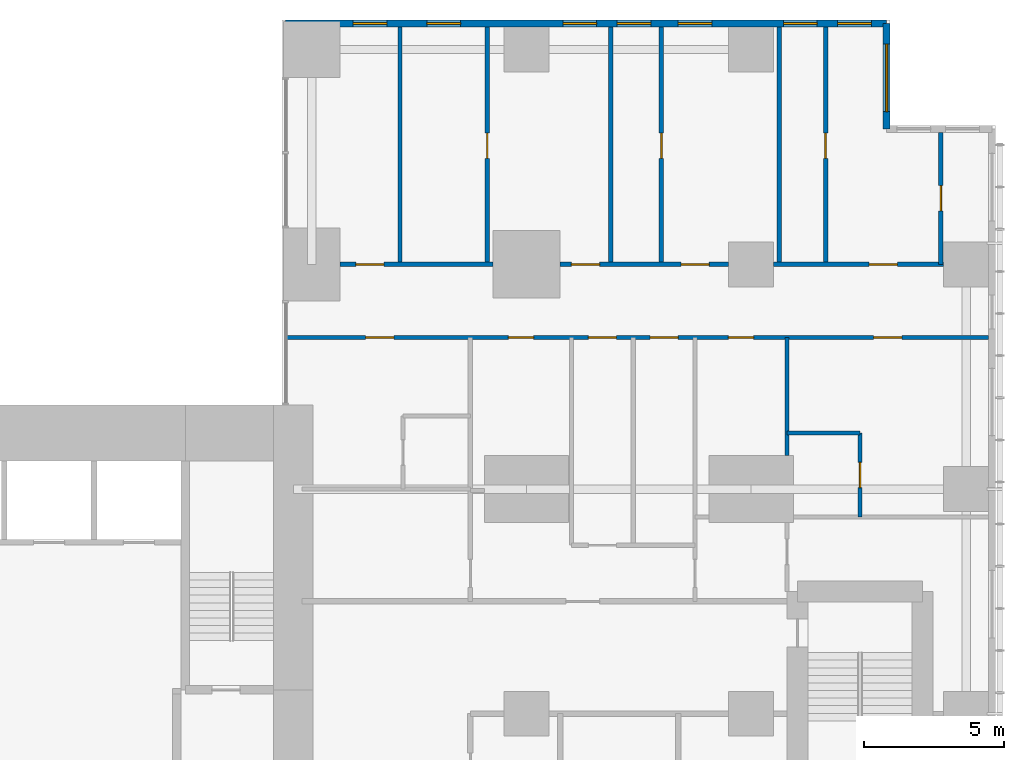
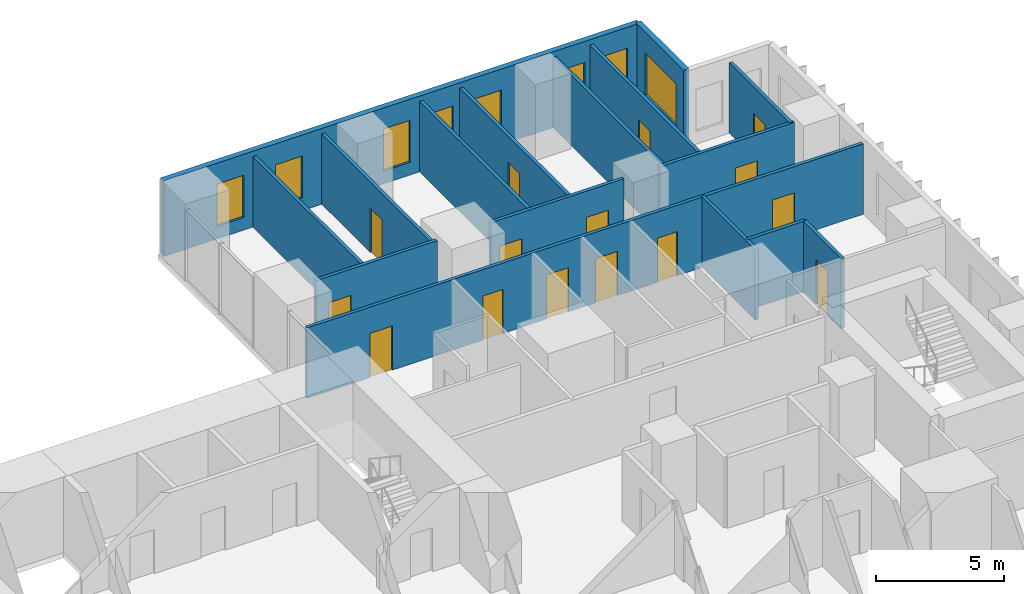
# One storey, part 10 of 12: 16 walls, 15 doors, 8 windows, 23 openings.
"""IFC4 building model written with IfcOpenShell, lengths in metres."""

from ifc_helpers import new_model, si_unit, direction, frame, frame_2d, origin, place, context, subcontext, project, spatial, rectangle, extrude, material, layer, layer_set, type_object, element, fill, save


model = new_model("IFC4")

# Units and contexts
model_context = context("Model", 3, precision=1e-05, world=origin(), true_north=direction((0.0, 1.0)))
body_context = subcontext(model_context, "Body", "Model", "MODEL_VIEW")
ifc_project = project(units=[si_unit("LENGTHUNIT", "METRE"), si_unit("AREAUNIT", "SQUARE_METRE"), si_unit("VOLUMEUNIT", "CUBIC_METRE"), si_unit("PLANEANGLEUNIT", "RADIAN"), si_unit("MASSUNIT", "GRAM", prefix="KILO")], contexts=[model_context])

# Site, building, storey
site_placement = place(None, origin())
site = spatial("IfcSite", under=ifc_project, at=site_placement, CompositionType="ELEMENT")
building_placement = place(site_placement, origin())
building = spatial("IfcBuilding", under=site, at=building_placement, Name="Cleftline Residences", CompositionType="ELEMENT")
storey_placement = place(building_placement, frame((0.0, 0.0, 234.0)))
storey = spatial("IfcBuildingStorey", under=building, at=storey_placement, Name="L61", CompositionType="ELEMENT", Elevation=234.0)

# Wall, opening, window
ifc_material_1 = material(Name="Rendered reinforced concrete blockwork", Category="masonry")
ifc_layer_1 = layer(ifc_material_1, 0.25)
ifc_layer_set_1 = layer_set([ifc_layer_1], Name="EXTERNAL WALL 250")
wall_type_1 = type_object("IfcWallType", Name="EXTERNAL WALL 250", PredefinedType="SOLIDWALL", material=ifc_layer_set_1)
wall_1_placement = place(storey_placement, frame((62.824951171875, 44.824951171875, 0.0), z_axis=(0.0, 0.0, 1.0), x_axis=(0.0, 1.0, 0.0)))
wall_1 = element("IfcWall", 1, at=wall_1_placement, inside=storey, type_object=wall_type_1, Name="External wall", PredefinedType="SOLIDWALL", context=body_context, shape_type="SweptSolid", body=[
    extrude(rectangle(XDim=3.75, YDim=0.25, at=frame_2d((1.875, 0.0))), origin(), (0.0, 0.0, 1.0), 3.60009765625),
])
opening_1_placement = place(wall_1_placement, frame((0.612548828125, 0.0, 0.60009765625)))
opening_1 = element("IfcOpeningElement", 2, at=opening_1_placement, cuts=wall_1, Name="Opening W6", PredefinedType="OPENING", context=body_context, shape_type="SweptSolid", body=[
    extrude(rectangle(XDim=2.39990234375, YDim=2.0, at=frame_2d((1.199951171875, 1.0))), frame((0.0, 0.135009765625, 0.0), z_axis=(0.0, -1.0, 0.0), x_axis=(1.0, 0.0, 0.0)), (0.0, 0.0, 1.0), 0.27001953125),
])
ifc_material_2 = material(Name="Aluminium frame, clear double glazing", Category="aluminium")
window_type_1 = type_object("IfcWindowType", Name="WINDOW 2400X2000", PartitioningType="DOUBLE_PANEL_VERTICAL", PredefinedType="WINDOW", material=ifc_material_2)
window_1_placement = place(opening_1_placement, origin())
window_1 = element("IfcWindow", 3, at=window_1_placement, inside=storey, type_object=window_type_1, Name="Window", OverallHeight=2.0, OverallWidth=2.39990234375, PartitioningType="SINGLE_PANEL", PredefinedType="WINDOW", context=body_context, shape_type="SweptSolid", body=[
    extrude(rectangle(XDim=2.39990234375, YDim=2.0, at=frame_2d((1.199951171875, 1.0))), frame((0.0, 0.030029296875, 0.0), z_axis=(0.0, -1.0, 0.0), x_axis=(1.0, 0.0, 0.0)), (0.0, 0.0, 1.0), 0.06005859375),
])
fill(opening_1, window_1)

# Wall, openings, windows
wall_2_placement = place(storey_placement, frame((62.824951171875, 48.574951171875, 0.0), z_axis=(0.0, 0.0, 1.0), x_axis=(-1.0, 0.0, 0.0)))
wall_2 = element("IfcWall", 4, at=wall_2_placement, inside=storey, type_object=wall_type_1, Name="External wall", PredefinedType="SOLIDWALL", context=body_context, shape_type="SweptSolid", body=[
    extrude(rectangle(XDim=21.39990234375, YDim=0.25, at=frame_2d((10.699951171875, 0.0))), origin(), (0.0, 0.0, 1.0), 3.60009765625),
])
opening_2_placement = place(wall_2_placement, frame((0.550048828125, 0.0, 0.60009765625)))
opening_2 = element("IfcOpeningElement", 5, at=opening_2_placement, cuts=wall_2, Name="Opening W8", PredefinedType="OPENING", context=body_context, shape_type="SweptSolid", body=[
    extrude(rectangle(XDim=1.199951171875, YDim=2.0, at=frame_2d((0.60009765625, 1.0))), frame((0.0, 0.135009765625, 0.0), z_axis=(0.0, -1.0, 0.0), x_axis=(1.0, 0.0, 0.0)), (0.0, 0.0, 1.0), 0.27001953125),
])
opening_3_placement = place(wall_2_placement, frame((2.47509765625, 0.0, 0.60009765625)))
opening_3 = element("IfcOpeningElement", 6, at=opening_3_placement, cuts=wall_2, Name="Opening W8", PredefinedType="OPENING", context=body_context, shape_type="SweptSolid", body=[
    extrude(rectangle(XDim=1.199951171875, YDim=2.0, at=frame_2d((0.60009765625, 1.0))), frame((0.0, 0.135009765625, 0.0), z_axis=(0.0, -1.0, 0.0), x_axis=(1.0, 0.0, 0.0)), (0.0, 0.0, 1.0), 0.27001953125),
])
opening_4_placement = place(wall_2_placement, frame((6.22509765625, 0.0, 0.60009765625)))
opening_4 = element("IfcOpeningElement", 7, at=opening_4_placement, cuts=wall_2, Name="Opening W8", PredefinedType="OPENING", context=body_context, shape_type="SweptSolid", body=[
    extrude(rectangle(XDim=1.199951171875, YDim=2.0, at=frame_2d((0.60009765625, 1.0))), frame((0.0, 0.135009765625, 0.0), z_axis=(0.0, -1.0, 0.0), x_axis=(1.0, 0.0, 0.0)), (0.0, 0.0, 1.0), 0.27001953125),
])
opening_5_placement = place(wall_2_placement, frame((8.39990234375, 0.0, 0.60009765625)))
opening_5 = element("IfcOpeningElement", 8, at=opening_5_placement, cuts=wall_2, Name="Opening W8", PredefinedType="OPENING", context=body_context, shape_type="SweptSolid", body=[
    extrude(rectangle(XDim=1.199951171875, YDim=2.0, at=frame_2d((0.60009765625, 1.0))), frame((0.0, 0.135009765625, 0.0), z_axis=(0.0, -1.0, 0.0), x_axis=(1.0, 0.0, 0.0)), (0.0, 0.0, 1.0), 0.27001953125),
])
opening_6_placement = place(wall_2_placement, frame((10.324951171875, 0.0, 0.60009765625)))
opening_6 = element("IfcOpeningElement", 9, at=opening_6_placement, cuts=wall_2, Name="Opening W8", PredefinedType="OPENING", context=body_context, shape_type="SweptSolid", body=[
    extrude(rectangle(XDim=1.199951171875, YDim=2.0, at=frame_2d((0.60009765625, 1.0))), frame((0.0, 0.135009765625, 0.0), z_axis=(0.0, -1.0, 0.0), x_axis=(1.0, 0.0, 0.0)), (0.0, 0.0, 1.0), 0.27001953125),
])
opening_7_placement = place(wall_2_placement, frame((15.175048828125, 0.0, 0.60009765625)))
opening_7 = element("IfcOpeningElement", 10, at=opening_7_placement, cuts=wall_2, Name="Opening W8", PredefinedType="OPENING", context=body_context, shape_type="SweptSolid", body=[
    extrude(rectangle(XDim=1.199951171875, YDim=2.0, at=frame_2d((0.60009765625, 1.0))), frame((0.0, 0.135009765625, 0.0), z_axis=(0.0, -1.0, 0.0), x_axis=(1.0, 0.0, 0.0)), (0.0, 0.0, 1.0), 0.27001953125),
])
opening_8_placement = place(wall_2_placement, frame((17.800048828125, 0.0, 0.60009765625)))
opening_8 = element("IfcOpeningElement", 11, at=opening_8_placement, cuts=wall_2, Name="Opening W8", PredefinedType="OPENING", context=body_context, shape_type="SweptSolid", body=[
    extrude(rectangle(XDim=1.199951171875, YDim=2.0, at=frame_2d((0.60009765625, 1.0))), frame((0.0, 0.135009765625, 0.0), z_axis=(0.0, -1.0, 0.0), x_axis=(1.0, 0.0, 0.0)), (0.0, 0.0, 1.0), 0.27001953125),
])
ifc_material_3 = material(Name="Aluminium frame, clear double glazing", Category="aluminium")
window_type_2 = type_object("IfcWindowType", Name="WINDOW 1200X2000", PartitioningType="DOUBLE_PANEL_VERTICAL", PredefinedType="WINDOW", material=ifc_material_3)
window_2_placement = place(opening_2_placement, origin())
window_2 = element("IfcWindow", 12, at=window_2_placement, inside=storey, type_object=window_type_2, Name="Window", OverallHeight=2.0, OverallWidth=1.199951171875, PartitioningType="SINGLE_PANEL", PredefinedType="WINDOW", context=body_context, shape_type="SweptSolid", body=[
    extrude(rectangle(XDim=1.199951171875, YDim=2.0, at=frame_2d((0.60009765625, 1.0))), frame((0.0, 0.030029296875, 0.0), z_axis=(0.0, -1.0, 0.0), x_axis=(1.0, 0.0, 0.0)), (0.0, 0.0, 1.0), 0.06005859375),
])
fill(opening_2, window_2)
window_3_placement = place(opening_3_placement, origin())
window_3 = element("IfcWindow", 13, at=window_3_placement, inside=storey, type_object=window_type_2, Name="Window", OverallHeight=2.0, OverallWidth=1.199951171875, PartitioningType="SINGLE_PANEL", PredefinedType="WINDOW", context=body_context, shape_type="SweptSolid", body=[
    extrude(rectangle(XDim=1.199951171875, YDim=2.0, at=frame_2d((0.60009765625, 1.0))), frame((0.0, 0.030029296875, 0.0), z_axis=(0.0, -1.0, 0.0), x_axis=(1.0, 0.0, 0.0)), (0.0, 0.0, 1.0), 0.06005859375),
])
fill(opening_3, window_3)
window_4_placement = place(opening_4_placement, origin())
window_4 = element("IfcWindow", 14, at=window_4_placement, inside=storey, type_object=window_type_2, Name="Window", OverallHeight=2.0, OverallWidth=1.199951171875, PartitioningType="SINGLE_PANEL", PredefinedType="WINDOW", context=body_context, shape_type="SweptSolid", body=[
    extrude(rectangle(XDim=1.199951171875, YDim=2.0, at=frame_2d((0.60009765625, 1.0))), frame((0.0, 0.030029296875, 0.0), z_axis=(0.0, -1.0, 0.0), x_axis=(1.0, 0.0, 0.0)), (0.0, 0.0, 1.0), 0.06005859375),
])
fill(opening_4, window_4)
window_5_placement = place(opening_5_placement, origin())
window_5 = element("IfcWindow", 15, at=window_5_placement, inside=storey, type_object=window_type_2, Name="Window", OverallHeight=2.0, OverallWidth=1.199951171875, PartitioningType="SINGLE_PANEL", PredefinedType="WINDOW", context=body_context, shape_type="SweptSolid", body=[
    extrude(rectangle(XDim=1.199951171875, YDim=2.0, at=frame_2d((0.60009765625, 1.0))), frame((0.0, 0.030029296875, 0.0), z_axis=(0.0, -1.0, 0.0), x_axis=(1.0, 0.0, 0.0)), (0.0, 0.0, 1.0), 0.06005859375),
])
fill(opening_5, window_5)
window_6_placement = place(opening_6_placement, origin())
window_6 = element("IfcWindow", 16, at=window_6_placement, inside=storey, type_object=window_type_2, Name="Window", OverallHeight=2.0, OverallWidth=1.199951171875, PartitioningType="SINGLE_PANEL", PredefinedType="WINDOW", context=body_context, shape_type="SweptSolid", body=[
    extrude(rectangle(XDim=1.199951171875, YDim=2.0, at=frame_2d((0.60009765625, 1.0))), frame((0.0, 0.030029296875, 0.0), z_axis=(0.0, -1.0, 0.0), x_axis=(1.0, 0.0, 0.0)), (0.0, 0.0, 1.0), 0.06005859375),
])
fill(opening_6, window_6)
window_7_placement = place(opening_7_placement, origin())
window_7 = element("IfcWindow", 17, at=window_7_placement, inside=storey, type_object=window_type_2, Name="Window", OverallHeight=2.0, OverallWidth=1.199951171875, PartitioningType="SINGLE_PANEL", PredefinedType="WINDOW", context=body_context, shape_type="SweptSolid", body=[
    extrude(rectangle(XDim=1.199951171875, YDim=2.0, at=frame_2d((0.60009765625, 1.0))), frame((0.0, 0.030029296875, 0.0), z_axis=(0.0, -1.0, 0.0), x_axis=(1.0, 0.0, 0.0)), (0.0, 0.0, 1.0), 0.06005859375),
])
fill(opening_7, window_7)
window_8_placement = place(opening_8_placement, origin())
window_8 = element("IfcWindow", 18, at=window_8_placement, inside=storey, type_object=window_type_2, Name="Window", OverallHeight=2.0, OverallWidth=1.199951171875, PartitioningType="SINGLE_PANEL", PredefinedType="WINDOW", context=body_context, shape_type="SweptSolid", body=[
    extrude(rectangle(XDim=1.199951171875, YDim=2.0, at=frame_2d((0.60009765625, 1.0))), frame((0.0, 0.030029296875, 0.0), z_axis=(0.0, -1.0, 0.0), x_axis=(1.0, 0.0, 0.0)), (0.0, 0.0, 1.0), 0.06005859375),
])
fill(opening_8, window_8)

# Wall
ifc_material_4 = material(Name="Gypsum board on steel studs", Category="steel")
ifc_layer_2 = layer(ifc_material_4, 0.14990234375)
ifc_layer_set_2 = layer_set([ifc_layer_2], Name="PARTITION 150")
wall_type_2 = type_object("IfcWallType", Name="PARTITION 150", PredefinedType="PARTITIONING", material=ifc_layer_set_2)
wall_3_placement = place(storey_placement, frame((59.27490234375, 34.0, 0.0), z_axis=(0.0, 0.0, 1.0), x_axis=(1.0, 0.0, 0.0)))
element("IfcWall", 19, at=wall_3_placement, inside=storey, type_object=wall_type_2, Name="Partition", PredefinedType="PARTITIONING", context=body_context, shape_type="SweptSolid", body=[
    extrude(rectangle(XDim=2.60009765625, YDim=0.14990234375, at=frame_2d((1.300048828125, 0.0))), origin(), (0.0, 0.0, 1.0), 3.35009765625),
])

# Wall, openings, doors
wall_4_placement = place(storey_placement, frame((41.43896484375, 37.39990234375, 0.0), z_axis=(0.0, 0.0, 1.0), x_axis=(1.0, 0.0, 0.0)))
wall_4 = element("IfcWall", 20, at=wall_4_placement, inside=storey, type_object=wall_type_2, Name="Partition", PredefinedType="PARTITIONING", context=body_context, shape_type="SweptSolid", body=[
    extrude(rectangle(XDim=25.010986328125, YDim=0.14990234375, at=frame_2d((12.50537109375, 0.0))), origin(), (0.0, 0.0, 1.0), 3.35009765625),
])
opening_9_placement = place(wall_4_placement, frame((10.760986328125, 0.0, 0.0)))
opening_9 = element("IfcOpeningElement", 21, at=opening_9_placement, cuts=wall_4, Name="Opening D2", PredefinedType="OPENING", context=body_context, shape_type="SweptSolid", body=[
    extrude(rectangle(XDim=1.0, YDim=2.10009765625, at=frame_2d((0.5, 1.050048828125))), frame((0.0, 0.0849609375, 0.0), z_axis=(0.0, -1.0, 0.0), x_axis=(1.0, 0.0, 0.0)), (0.0, 0.0, 1.0), 0.169921875),
])
opening_10_placement = place(wall_4_placement, frame((20.923583984375, 0.0, 0.0)))
opening_10 = element("IfcOpeningElement", 22, at=opening_10_placement, cuts=wall_4, Name="Opening D2", PredefinedType="OPENING", context=body_context, shape_type="SweptSolid", body=[
    extrude(rectangle(XDim=1.0, YDim=2.10009765625, at=frame_2d((0.5, 1.050048828125))), frame((0.0, 0.0849609375, 0.0), z_axis=(0.0, -1.0, 0.0), x_axis=(1.0, 0.0, 0.0)), (0.0, 0.0, 1.0), 0.169921875),
])
opening_11_placement = place(wall_4_placement, frame((15.74853515625, 0.0, 0.0)))
opening_11 = element("IfcOpeningElement", 23, at=opening_11_placement, cuts=wall_4, Name="Opening D1", PredefinedType="OPENING", context=body_context, shape_type="SweptSolid", body=[
    extrude(rectangle(XDim=0.89990234375, YDim=2.10009765625, at=frame_2d((0.449951171875, 1.050048828125))), frame((0.0, 0.0849609375, 0.0), z_axis=(0.0, -1.0, 0.0), x_axis=(1.0, 0.0, 0.0)), (0.0, 0.0, 1.0), 0.169921875),
])
opening_12_placement = place(wall_4_placement, frame((12.9609375, 0.0, 0.0)))
opening_12 = element("IfcOpeningElement", 24, at=opening_12_placement, cuts=wall_4, Name="Opening D2", PredefinedType="OPENING", context=body_context, shape_type="SweptSolid", body=[
    extrude(rectangle(XDim=1.0, YDim=2.10009765625, at=frame_2d((0.5, 1.050048828125))), frame((0.0, 0.0849609375, 0.0), z_axis=(0.0, -1.0, 0.0), x_axis=(1.0, 0.0, 0.0)), (0.0, 0.0, 1.0), 0.169921875),
])
opening_13_placement = place(wall_4_placement, frame((7.910888671875, 0.0, 0.0)))
opening_13 = element("IfcOpeningElement", 25, at=opening_13_placement, cuts=wall_4, Name="Opening D1", PredefinedType="OPENING", context=body_context, shape_type="SweptSolid", body=[
    extrude(rectangle(XDim=0.89990234375, YDim=2.10009765625, at=frame_2d((0.449951171875, 1.050048828125))), frame((0.0, 0.0849609375, 0.0), z_axis=(0.0, -1.0, 0.0), x_axis=(1.0, 0.0, 0.0)), (0.0, 0.0, 1.0), 0.169921875),
])
opening_14_placement = place(wall_4_placement, frame((2.8359375, 0.0, 0.0)))
opening_14 = element("IfcOpeningElement", 26, at=opening_14_placement, cuts=wall_4, Name="Opening D2", PredefinedType="OPENING", context=body_context, shape_type="SweptSolid", body=[
    extrude(rectangle(XDim=1.0, YDim=2.10009765625, at=frame_2d((0.5, 1.050048828125))), frame((0.0, 0.0849609375, 0.0), z_axis=(0.0, -1.0, 0.0), x_axis=(1.0, 0.0, 0.0)), (0.0, 0.0, 1.0), 0.169921875),
])
ifc_material_5 = material(Name="Timber veneer on solid core", Category="wood")
door_type_1 = type_object("IfcDoorType", Name="DOOR 1000X2100", OperationType="SINGLE_SWING_LEFT", PredefinedType="DOOR", material=ifc_material_5)
door_1_placement = place(opening_9_placement, origin())
door_1 = element("IfcDoor", 27, at=door_1_placement, inside=storey, type_object=door_type_1, Name="Door to residence hall", OperationType="SINGLE_SWING_RIGHT", OverallHeight=2.10009765625, OverallWidth=1.0, PredefinedType="DOOR", context=body_context, shape_type="SweptSolid", body=[
    extrude(rectangle(XDim=1.0, YDim=2.10009765625, at=frame_2d((0.5, 1.050048828125))), frame((0.0, 0.02490234375, 0.0), z_axis=(0.0, -1.0, 0.0), x_axis=(1.0, 0.0, 0.0)), (0.0, 0.0, 1.0), 0.050048828125),
])
fill(opening_9, door_1)
door_2_placement = place(opening_10_placement, origin())
door_2 = element("IfcDoor", 28, at=door_2_placement, inside=storey, type_object=door_type_1, Name="Door to master bedroom", OperationType="SINGLE_SWING_LEFT", OverallHeight=2.10009765625, OverallWidth=1.0, PredefinedType="DOOR", context=body_context, shape_type="SweptSolid", body=[
    extrude(rectangle(XDim=1.0, YDim=2.10009765625, at=frame_2d((0.5, 1.050048828125))), frame((0.0, 0.02490234375, 0.0), z_axis=(0.0, -1.0, 0.0), x_axis=(1.0, 0.0, 0.0)), (0.0, 0.0, 1.0), 0.050048828125),
])
fill(opening_10, door_2)
door_3_placement = place(opening_12_placement, origin())
door_3 = element("IfcDoor", 29, at=door_3_placement, inside=storey, type_object=door_type_1, Name="Door to media room", OperationType="SINGLE_SWING_LEFT", OverallHeight=2.10009765625, OverallWidth=1.0, PredefinedType="DOOR", context=body_context, shape_type="SweptSolid", body=[
    extrude(rectangle(XDim=1.0, YDim=2.10009765625, at=frame_2d((0.5, 1.050048828125))), frame((0.0, 0.02490234375, 0.0), z_axis=(0.0, -1.0, 0.0), x_axis=(1.0, 0.0, 0.0)), (0.0, 0.0, 1.0), 0.050048828125),
])
fill(opening_12, door_3)
door_4_placement = place(opening_14_placement, origin())
door_4 = element("IfcDoor", 30, at=door_4_placement, inside=storey, type_object=door_type_1, Name="Door to bedroom 5", OperationType="SINGLE_SWING_RIGHT", OverallHeight=2.10009765625, OverallWidth=1.0, PredefinedType="DOOR", context=body_context, shape_type="SweptSolid", body=[
    extrude(rectangle(XDim=1.0, YDim=2.10009765625, at=frame_2d((0.5, 1.050048828125))), frame((0.0, 0.02490234375, 0.0), z_axis=(0.0, -1.0, 0.0), x_axis=(1.0, 0.0, 0.0)), (0.0, 0.0, 1.0), 0.050048828125),
])
fill(opening_14, door_4)
ifc_material_6 = material(Name="Timber veneer on solid core", Category="wood")
door_type_2 = type_object("IfcDoorType", Name="DOOR 900X2100", OperationType="SINGLE_SWING_LEFT", PredefinedType="DOOR", material=ifc_material_6)
door_5_placement = place(opening_11_placement, origin())
door_5 = element("IfcDoor", 31, at=door_5_placement, inside=storey, type_object=door_type_2, Name="Door to bedroom 2 bathroom", OperationType="SINGLE_SWING_LEFT", OverallHeight=2.10009765625, OverallWidth=0.89990234375, PredefinedType="DOOR", context=body_context, shape_type="SweptSolid", body=[
    extrude(rectangle(XDim=0.89990234375, YDim=2.10009765625, at=frame_2d((0.449951171875, 1.050048828125))), frame((0.0, 0.02490234375, 0.0), z_axis=(0.0, -1.0, 0.0), x_axis=(1.0, 0.0, 0.0)), (0.0, 0.0, 1.0), 0.050048828125),
])
fill(opening_11, door_5)
door_6_placement = place(opening_13_placement, origin())
door_6 = element("IfcDoor", 32, at=door_6_placement, inside=storey, type_object=door_type_2, Name="Door to linen store", OperationType="SINGLE_SWING_RIGHT", OverallHeight=2.10009765625, OverallWidth=0.89990234375, PredefinedType="DOOR", context=body_context, shape_type="SweptSolid", body=[
    extrude(rectangle(XDim=0.89990234375, YDim=2.10009765625, at=frame_2d((0.449951171875, 1.050048828125))), frame((0.0, 0.02490234375, 0.0), z_axis=(0.0, -1.0, 0.0), x_axis=(1.0, 0.0, 0.0)), (0.0, 0.0, 1.0), 0.050048828125),
])
fill(opening_13, door_6)

# Wall, opening, door
wall_5_placement = place(storey_placement, frame((43.35009765625, 40.0, 0.0), z_axis=(0.0, 0.0, 1.0), x_axis=(1.0, 0.0, 0.0)))
wall_5 = element("IfcWall", 33, at=wall_5_placement, inside=storey, type_object=wall_type_2, Name="Partition", PredefinedType="PARTITIONING", context=body_context, shape_type="SweptSolid", body=[
    extrude(rectangle(XDim=5.449951171875, YDim=0.14990234375, at=frame_2d((2.72509765625, 0.0))), origin(), (0.0, 0.0, 1.0), 3.35009765625),
])
opening_15_placement = place(wall_5_placement, frame((0.574951171875, 0.0, 0.0)))
opening_15 = element("IfcOpeningElement", 34, at=opening_15_placement, cuts=wall_5, Name="Opening D2", PredefinedType="OPENING", context=body_context, shape_type="SweptSolid", body=[
    extrude(rectangle(XDim=1.0, YDim=2.10009765625, at=frame_2d((0.5, 1.050048828125))), frame((0.0, 0.0849609375, 0.0), z_axis=(0.0, -1.0, 0.0), x_axis=(1.0, 0.0, 0.0)), (0.0, 0.0, 1.0), 0.169921875),
])
door_7_placement = place(opening_15_placement, origin())
door_7 = element("IfcDoor", 35, at=door_7_placement, inside=storey, type_object=door_type_1, Name="Door to family room", OperationType="SINGLE_SWING_RIGHT", OverallHeight=2.10009765625, OverallWidth=1.0, PredefinedType="DOOR", context=body_context, shape_type="SweptSolid", body=[
    extrude(rectangle(XDim=1.0, YDim=2.10009765625, at=frame_2d((0.5, 1.050048828125))), frame((0.0, 0.02490234375, 0.0), z_axis=(0.0, -1.0, 0.0), x_axis=(1.0, 0.0, 0.0)), (0.0, 0.0, 1.0), 0.050048828125),
])
fill(opening_15, door_7)

# Wall, openings, doors
wall_6_placement = place(storey_placement, frame((51.199951171875, 40.0, 0.0), z_axis=(0.0, 0.0, 1.0), x_axis=(1.0, 0.0, 0.0)))
wall_6 = element("IfcWall", 36, at=wall_6_placement, inside=storey, type_object=wall_type_2, Name="Partition", PredefinedType="PARTITIONING", context=body_context, shape_type="SweptSolid", body=[
    extrude(rectangle(XDim=6.0, YDim=0.14990234375, at=frame_2d((3.0, 0.0))), origin(), (0.0, 0.0, 1.0), 3.35009765625),
])
opening_16_placement = place(wall_6_placement, frame((4.300048828125, 0.0, 0.0)))
opening_16 = element("IfcOpeningElement", 37, at=opening_16_placement, cuts=wall_6, Name="Opening D2", PredefinedType="OPENING", context=body_context, shape_type="SweptSolid", body=[
    extrude(rectangle(XDim=1.0, YDim=2.10009765625, at=frame_2d((0.5, 1.050048828125))), frame((0.0, 0.0849609375, 0.0), z_axis=(0.0, -1.0, 0.0), x_axis=(1.0, 0.0, 0.0)), (0.0, 0.0, 1.0), 0.169921875),
])
opening_17_placement = place(wall_6_placement, frame((0.39990234375, 0.0, 0.0)))
opening_17 = element("IfcOpeningElement", 38, at=opening_17_placement, cuts=wall_6, Name="Opening D2", PredefinedType="OPENING", context=body_context, shape_type="SweptSolid", body=[
    extrude(rectangle(XDim=1.0, YDim=2.10009765625, at=frame_2d((0.5, 1.050048828125))), frame((0.0, 0.0849609375, 0.0), z_axis=(0.0, -1.0, 0.0), x_axis=(1.0, 0.0, 0.0)), (0.0, 0.0, 1.0), 0.169921875),
])
door_8_placement = place(opening_16_placement, origin())
door_8 = element("IfcDoor", 39, at=door_8_placement, inside=storey, type_object=door_type_1, Name="Door to bedroom 3", OperationType="SINGLE_SWING_LEFT", OverallHeight=2.10009765625, OverallWidth=1.0, PredefinedType="DOOR", context=body_context, shape_type="SweptSolid", body=[
    extrude(rectangle(XDim=1.0, YDim=2.10009765625, at=frame_2d((0.5, 1.050048828125))), frame((0.0, 0.02490234375, 0.0), z_axis=(0.0, -1.0, 0.0), x_axis=(1.0, 0.0, 0.0)), (0.0, 0.0, 1.0), 0.050048828125),
])
fill(opening_16, door_8)
door_9_placement = place(opening_17_placement, origin())
door_9 = element("IfcDoor", 40, at=door_9_placement, inside=storey, type_object=door_type_1, Name="Door to bedroom 4", OperationType="SINGLE_SWING_RIGHT", OverallHeight=2.10009765625, OverallWidth=1.0, PredefinedType="DOOR", context=body_context, shape_type="SweptSolid", body=[
    extrude(rectangle(XDim=1.0, YDim=2.10009765625, at=frame_2d((0.5, 1.050048828125))), frame((0.0, 0.02490234375, 0.0), z_axis=(0.0, -1.0, 0.0), x_axis=(1.0, 0.0, 0.0)), (0.0, 0.0, 1.0), 0.050048828125),
])
fill(opening_17, door_9)

# Wall, opening, door
wall_7_placement = place(storey_placement, frame((58.800048828125, 40.0, 0.0), z_axis=(0.0, 0.0, 1.0), x_axis=(1.0, 0.0, 0.0)))
wall_7 = element("IfcWall", 41, at=wall_7_placement, inside=storey, type_object=wall_type_2, Name="Partition", PredefinedType="PARTITIONING", context=body_context, shape_type="SweptSolid", body=[
    extrude(rectangle(XDim=6.050048828125, YDim=0.14990234375, at=frame_2d((3.02490234375, 0.0))), origin(), (0.0, 0.0, 1.0), 3.35009765625),
])
opening_18_placement = place(wall_7_placement, frame((3.39990234375, 0.0, 0.0)))
opening_18 = element("IfcOpeningElement", 42, at=opening_18_placement, cuts=wall_7, Name="Opening D2", PredefinedType="OPENING", context=body_context, shape_type="SweptSolid", body=[
    extrude(rectangle(XDim=1.0, YDim=2.10009765625, at=frame_2d((0.5, 1.050048828125))), frame((0.0, 0.0849609375, 0.0), z_axis=(0.0, -1.0, 0.0), x_axis=(1.0, 0.0, 0.0)), (0.0, 0.0, 1.0), 0.169921875),
])
door_10_placement = place(opening_18_placement, origin())
door_10 = element("IfcDoor", 43, at=door_10_placement, inside=storey, type_object=door_type_1, Name="Door to bedroom 2", OperationType="SINGLE_SWING_LEFT", OverallHeight=2.10009765625, OverallWidth=1.0, PredefinedType="DOOR", context=body_context, shape_type="SweptSolid", body=[
    extrude(rectangle(XDim=1.0, YDim=2.10009765625, at=frame_2d((0.5, 1.050048828125))), frame((0.0, 0.02490234375, 0.0), z_axis=(0.0, -1.0, 0.0), x_axis=(1.0, 0.0, 0.0)), (0.0, 0.0, 1.0), 0.050048828125),
])
fill(opening_18, door_10)

# Wall
wall_8_placement = place(storey_placement, frame((45.5, 40.0, 0.0), z_axis=(0.0, 0.0, 1.0), x_axis=(0.0, 1.0, 0.0)))
element("IfcWall", 44, at=wall_8_placement, inside=storey, type_object=wall_type_2, Name="Partition", PredefinedType="PARTITIONING", context=body_context, shape_type="SweptSolid", body=[
    extrude(rectangle(XDim=8.449951171875, YDim=0.14990234375, at=frame_2d((4.22509765625, 0.0))), origin(), (0.0, 0.0, 1.0), 3.35009765625),
])

# Wall, opening, door
wall_9_placement = place(storey_placement, frame((48.60009765625, 40.0, 0.0), z_axis=(0.0, 0.0, 1.0), x_axis=(0.0, 1.0, 0.0)))
wall_9 = element("IfcWall", 45, at=wall_9_placement, inside=storey, type_object=wall_type_2, Name="Partition", PredefinedType="PARTITIONING", context=body_context, shape_type="SweptSolid", body=[
    extrude(rectangle(XDim=8.449951171875, YDim=0.14990234375, at=frame_2d((4.22509765625, 0.0))), origin(), (0.0, 0.0, 1.0), 3.35009765625),
])
opening_19_placement = place(wall_9_placement, frame((3.77490234375, 0.0, 0.0)))
opening_19 = element("IfcOpeningElement", 46, at=opening_19_placement, cuts=wall_9, Name="Opening D1", PredefinedType="OPENING", context=body_context, shape_type="SweptSolid", body=[
    extrude(rectangle(XDim=0.89990234375, YDim=2.10009765625, at=frame_2d((0.449951171875, 1.050048828125))), frame((0.0, 0.0849609375, 0.0), z_axis=(0.0, -1.0, 0.0), x_axis=(1.0, 0.0, 0.0)), (0.0, 0.0, 1.0), 0.169921875),
])
door_11_placement = place(opening_19_placement, origin())
door_11 = element("IfcDoor", 47, at=door_11_placement, inside=storey, type_object=door_type_2, Name="Door to en-suite bathroom 4", OperationType="SINGLE_SWING_LEFT", OverallHeight=2.10009765625, OverallWidth=0.89990234375, PredefinedType="DOOR", context=body_context, shape_type="SweptSolid", body=[
    extrude(rectangle(XDim=0.89990234375, YDim=2.10009765625, at=frame_2d((0.449951171875, 1.050048828125))), frame((0.0, 0.02490234375, 0.0), z_axis=(0.0, -1.0, 0.0), x_axis=(1.0, 0.0, 0.0)), (0.0, 0.0, 1.0), 0.050048828125),
])
fill(opening_19, door_11)

# Wall
wall_10_placement = place(storey_placement, frame((53.0, 40.0, 0.0), z_axis=(0.0, 0.0, 1.0), x_axis=(0.0, 1.0, 0.0)))
element("IfcWall", 48, at=wall_10_placement, inside=storey, type_object=wall_type_2, Name="Partition", PredefinedType="PARTITIONING", context=body_context, shape_type="SweptSolid", body=[
    extrude(rectangle(XDim=8.449951171875, YDim=0.14990234375, at=frame_2d((4.22509765625, 0.0))), origin(), (0.0, 0.0, 1.0), 3.35009765625),
])

# Wall, opening, door
wall_11_placement = place(storey_placement, frame((54.800048828125, 40.0, 0.0), z_axis=(0.0, 0.0, 1.0), x_axis=(0.0, 1.0, 0.0)))
wall_11 = element("IfcWall", 49, at=wall_11_placement, inside=storey, type_object=wall_type_2, Name="Partition", PredefinedType="PARTITIONING", context=body_context, shape_type="SweptSolid", body=[
    extrude(rectangle(XDim=8.449951171875, YDim=0.14990234375, at=frame_2d((4.22509765625, 0.0))), origin(), (0.0, 0.0, 1.0), 3.35009765625),
])
opening_20_placement = place(wall_11_placement, frame((3.77490234375, 0.0, 0.0)))
opening_20 = element("IfcOpeningElement", 50, at=opening_20_placement, cuts=wall_11, Name="Opening D1", PredefinedType="OPENING", context=body_context, shape_type="SweptSolid", body=[
    extrude(rectangle(XDim=0.89990234375, YDim=2.10009765625, at=frame_2d((0.449951171875, 1.050048828125))), frame((0.0, 0.0849609375, 0.0), z_axis=(0.0, -1.0, 0.0), x_axis=(1.0, 0.0, 0.0)), (0.0, 0.0, 1.0), 0.169921875),
])
door_12_placement = place(opening_20_placement, origin())
door_12 = element("IfcDoor", 51, at=door_12_placement, inside=storey, type_object=door_type_2, Name="Door to en-suite bathroom 3", OperationType="SINGLE_SWING_LEFT", OverallHeight=2.10009765625, OverallWidth=0.89990234375, PredefinedType="DOOR", context=body_context, shape_type="SweptSolid", body=[
    extrude(rectangle(XDim=0.89990234375, YDim=2.10009765625, at=frame_2d((0.449951171875, 1.050048828125))), frame((0.0, 0.02490234375, 0.0), z_axis=(0.0, -1.0, 0.0), x_axis=(1.0, 0.0, 0.0)), (0.0, 0.0, 1.0), 0.050048828125),
])
fill(opening_20, door_12)

# Walls
wall_12_placement = place(storey_placement, frame((59.0, 40.0, 0.0), z_axis=(0.0, 0.0, 1.0), x_axis=(0.0, 1.0, 0.0)))
element("IfcWall", 52, at=wall_12_placement, inside=storey, type_object=wall_type_2, Name="Partition", PredefinedType="PARTITIONING", context=body_context, shape_type="SweptSolid", body=[
    extrude(rectangle(XDim=8.449951171875, YDim=0.14990234375, at=frame_2d((4.22509765625, 0.0))), origin(), (0.0, 0.0, 1.0), 3.35009765625),
])
wall_13_placement = place(storey_placement, frame((59.27490234375, 33.199951171875, 0.0), z_axis=(0.0, 0.0, 1.0), x_axis=(0.0, 1.0, 0.0)))
element("IfcWall", 53, at=wall_13_placement, inside=storey, type_object=wall_type_2, Name="Partition", PredefinedType="PARTITIONING", context=body_context, shape_type="SweptSolid", body=[
    extrude(rectangle(XDim=4.199951171875, YDim=0.14990234375, at=frame_2d((2.10009765625, 0.0))), origin(), (0.0, 0.0, 1.0), 3.35009765625),
])

# Wall, opening, door
wall_14_placement = place(storey_placement, frame((60.64990234375, 40.0, 0.0), z_axis=(0.0, 0.0, 1.0), x_axis=(0.0, 1.0, 0.0)))
wall_14 = element("IfcWall", 54, at=wall_14_placement, inside=storey, type_object=wall_type_2, Name="Partition", PredefinedType="PARTITIONING", context=body_context, shape_type="SweptSolid", body=[
    extrude(rectangle(XDim=8.449951171875, YDim=0.14990234375, at=frame_2d((4.22509765625, 0.0))), origin(), (0.0, 0.0, 1.0), 3.35009765625),
])
opening_21_placement = place(wall_14_placement, frame((3.77490234375, 0.0, 0.0)))
opening_21 = element("IfcOpeningElement", 55, at=opening_21_placement, cuts=wall_14, Name="Opening D1", PredefinedType="OPENING", context=body_context, shape_type="SweptSolid", body=[
    extrude(rectangle(XDim=0.89990234375, YDim=2.10009765625, at=frame_2d((0.449951171875, 1.050048828125))), frame((0.0, 0.0849609375, 0.0), z_axis=(0.0, -1.0, 0.0), x_axis=(1.0, 0.0, 0.0)), (0.0, 0.0, 1.0), 0.169921875),
])
door_13_placement = place(opening_21_placement, origin())
door_13 = element("IfcDoor", 56, at=door_13_placement, inside=storey, type_object=door_type_2, Name="Door to walk-in wardrobe", OperationType="SINGLE_SWING_LEFT", OverallHeight=2.10009765625, OverallWidth=0.89990234375, PredefinedType="DOOR", context=body_context, shape_type="SweptSolid", body=[
    extrude(rectangle(XDim=0.89990234375, YDim=2.10009765625, at=frame_2d((0.449951171875, 1.050048828125))), frame((0.0, 0.02490234375, 0.0), z_axis=(0.0, -1.0, 0.0), x_axis=(1.0, 0.0, 0.0)), (0.0, 0.0, 1.0), 0.050048828125),
])
fill(opening_21, door_13)

wall_15_placement = place(storey_placement, frame((61.875, 31.0, 0.0), z_axis=(0.0, 0.0, 1.0), x_axis=(0.0, 1.0, 0.0)))
wall_15 = element("IfcWall", 57, at=wall_15_placement, inside=storey, type_object=wall_type_2, Name="Partition", PredefinedType="PARTITIONING", context=body_context, shape_type="SweptSolid", body=[
    extrude(rectangle(XDim=3.0, YDim=0.14990234375, at=frame_2d((1.5, 0.0))), origin(), (0.0, 0.0, 1.0), 3.35009765625),
])
opening_22_placement = place(wall_15_placement, frame((1.050048828125, 0.0, 0.0)))
opening_22 = element("IfcOpeningElement", 58, at=opening_22_placement, cuts=wall_15, Name="Opening D1", PredefinedType="OPENING", context=body_context, shape_type="SweptSolid", body=[
    extrude(rectangle(XDim=0.89990234375, YDim=2.10009765625, at=frame_2d((0.449951171875, 1.050048828125))), frame((0.0, 0.0849609375, 0.0), z_axis=(0.0, -1.0, 0.0), x_axis=(1.0, 0.0, 0.0)), (0.0, 0.0, 1.0), 0.169921875),
])
door_14_placement = place(opening_22_placement, origin())
door_14 = element("IfcDoor", 59, at=door_14_placement, inside=storey, type_object=door_type_2, Name="Door to master bathroom", OperationType="SINGLE_SWING_LEFT", OverallHeight=2.10009765625, OverallWidth=0.89990234375, PredefinedType="DOOR", context=body_context, shape_type="SweptSolid", body=[
    extrude(rectangle(XDim=0.89990234375, YDim=2.10009765625, at=frame_2d((0.449951171875, 1.050048828125))), frame((0.0, 0.02490234375, 0.0), z_axis=(0.0, -1.0, 0.0), x_axis=(1.0, 0.0, 0.0)), (0.0, 0.0, 1.0), 0.050048828125),
])
fill(opening_22, door_14)

wall_16_placement = place(storey_placement, frame((64.75, 40.0, 0.0), z_axis=(0.0, 0.0, 1.0), x_axis=(0.0, 1.0, 0.0)))
wall_16 = element("IfcWall", 60, at=wall_16_placement, inside=storey, type_object=wall_type_2, Name="Partition", PredefinedType="PARTITIONING", context=body_context, shape_type="SweptSolid", body=[
    extrude(rectangle(XDim=4.699951171875, YDim=0.14990234375, at=frame_2d((2.35009765625, 0.0))), origin(), (0.0, 0.0, 1.0), 3.35009765625),
])
opening_23_placement = place(wall_16_placement, frame((1.89990234375, 0.0, 0.0)))
opening_23 = element("IfcOpeningElement", 61, at=opening_23_placement, cuts=wall_16, Name="Opening D1", PredefinedType="OPENING", context=body_context, shape_type="SweptSolid", body=[
    extrude(rectangle(XDim=0.89990234375, YDim=2.10009765625, at=frame_2d((0.449951171875, 1.050048828125))), frame((0.0, 0.0849609375, 0.0), z_axis=(0.0, -1.0, 0.0), x_axis=(1.0, 0.0, 0.0)), (0.0, 0.0, 1.0), 0.169921875),
])
door_15_placement = place(opening_23_placement, origin())
door_15 = element("IfcDoor", 62, at=door_15_placement, inside=storey, type_object=door_type_2, Name="Door to music room", OperationType="SINGLE_SWING_LEFT", OverallHeight=2.10009765625, OverallWidth=0.89990234375, PredefinedType="DOOR", context=body_context, shape_type="SweptSolid", body=[
    extrude(rectangle(XDim=0.89990234375, YDim=2.10009765625, at=frame_2d((0.449951171875, 1.050048828125))), frame((0.0, 0.02490234375, 0.0), z_axis=(0.0, -1.0, 0.0), x_axis=(1.0, 0.0, 0.0)), (0.0, 0.0, 1.0), 0.050048828125),
])
fill(opening_23, door_15)

save(model, "model.ifc")
